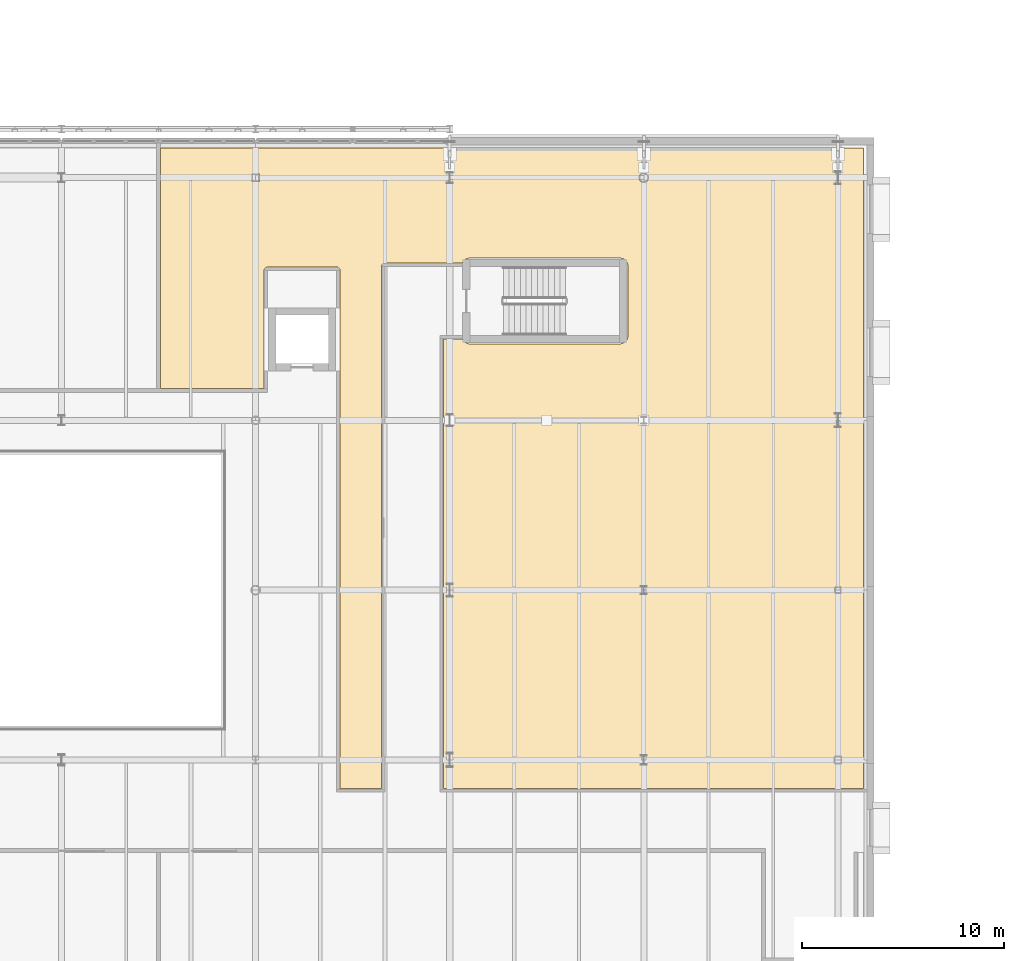
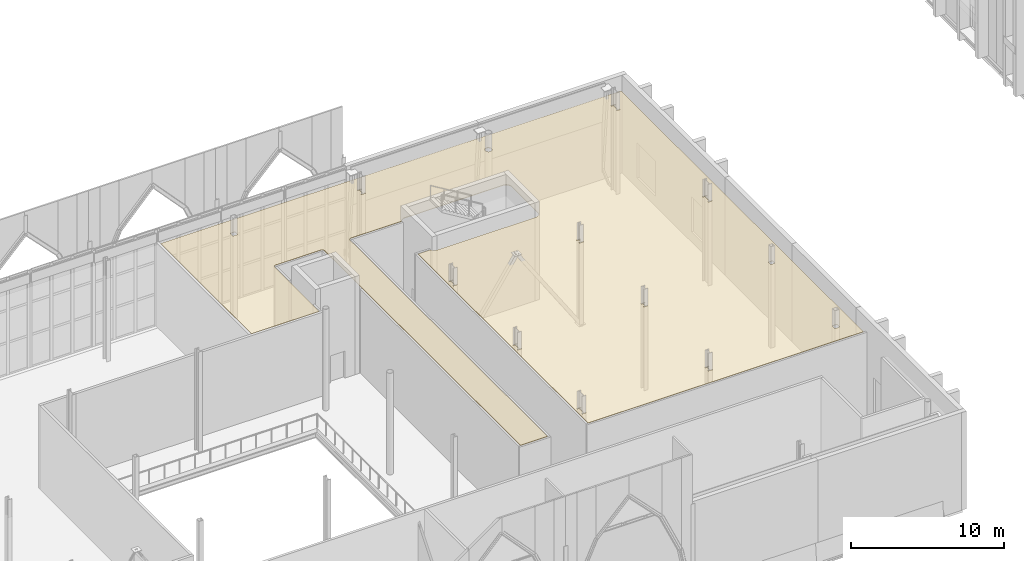
# One storey, part 72 of 79: 1 covering.
"""IFC4 building model written with IfcOpenShell, lengths in metres."""

from ifc_helpers import new_model, si_unit, direction, frame, origin, place, context, subcontext, project, spatial, polyline, outline, extrude, material, layer, layer_set, type_object, element, save


model = new_model("IFC4")

# Units and contexts
model_context = context("Model", 3, precision=1e-05, world=origin(), true_north=direction((0.0, 1.0)))
body_context = subcontext(model_context, "Body", "Model", "MODEL_VIEW")
ifc_project = project(units=[si_unit("LENGTHUNIT", "METRE"), si_unit("AREAUNIT", "SQUARE_METRE"), si_unit("VOLUMEUNIT", "CUBIC_METRE"), si_unit("PLANEANGLEUNIT", "RADIAN"), si_unit("MASSUNIT", "GRAM", prefix="KILO")], contexts=[model_context])

# Site, building, storey
site_placement = place(None, origin())
site = spatial("IfcSite", under=ifc_project, at=site_placement, CompositionType="ELEMENT")
building_placement = place(site_placement, origin())
building = spatial("IfcBuilding", under=site, at=building_placement, Name="Zereglee Splitstone Museum", CompositionType="ELEMENT")
storey_placement = place(building_placement, frame((0.0, 0.0, 9.0)))
storey = spatial("IfcBuildingStorey", under=building, at=storey_placement, Name="L02", CompositionType="ELEMENT", Elevation=9.0)

# Covering
ifc_material = material(Name="Perforated acoustic gypsum board ceiling", Category="masonry")
ifc_layer = layer(ifc_material, 0.044921875)
ifc_layer_set = layer_set([ifc_layer], Name="Perforated acoustic gypsum board ceiling")
covering_type = type_object("IfcCoveringType", Name="CLG-02", PredefinedType="CEILING", material=ifc_layer_set)
covering_placement = place(storey_placement, frame((0.0, 0.0, 6.655029296875)))
element("IfcCovering", 1, at=covering_placement, inside=storey, type_object=covering_type, Name="Acoustic Ceiling L02-040", PredefinedType="CEILING", context=body_context, shape_type="SweptSolid", body=[
    extrude(outline(polyline([(122.799072265625, 46.179931640625), (122.783203125, 46.17919921875), (122.781494140625, 46.178955078125), (122.765869140625, 46.1767578125), (122.763916015625, 46.17626953125), (122.748779296875, 46.172607421875), (122.746826171875, 46.171875), (122.73193359375, 46.166748046875), (122.730224609375, 46.166015625), (122.716064453125, 46.1591796875), (122.71435546875, 46.158203125), (122.70068359375, 46.150146484375), (122.69921875, 46.149169921875), (122.6865234375, 46.1396484375), (122.68505859375, 46.138427734375), (122.67333984375, 46.1279296875), (122.672119140625, 46.126708984375), (122.66162109375, 46.114990234375), (122.660400390625, 46.11328125), (122.65087890625, 46.100830078125), (122.64990234375, 46.09912109375), (122.6416015625, 46.085693359375), (122.640869140625, 46.083984375), (122.634033203125, 46.06982421875), (122.63330078125, 46.068115234375), (122.628173828125, 46.05322265625), (122.62744140625, 46.05126953125), (122.623779296875, 46.0361328125), (122.623291015625, 46.0341796875), (122.62109375, 46.0185546875), (122.620849609375, 46.0166015625), (122.6201171875, 46.0009765625), (122.6201171875, 46.0), (122.6201171875, 20.179931640625), (120.580078125, 20.179931640625), (120.580078125, 45.800048828125), (120.580078125, 45.801025390625), (120.5791015625, 45.816650390625), (120.5791015625, 45.818603515625), (120.57666015625, 45.833984375), (120.576416015625, 45.836181640625), (120.572509765625, 45.851318359375), (120.572021484375, 45.853271484375), (120.566650390625, 45.867919921875), (120.56591796875, 45.869873046875), (120.55908203125, 45.884033203125), (120.558349609375, 45.8857421875), (120.55029296875, 45.899169921875), (120.549072265625, 45.90087890625), (120.539794921875, 45.913330078125), (120.53857421875, 45.914794921875), (120.528076171875, 45.926513671875), (120.526611328125, 45.927978515625), (120.514892578125, 45.9384765625), (120.513427734375, 45.939697265625), (120.500732421875, 45.94921875), (120.499267578125, 45.9501953125), (120.485595703125, 45.958251953125), (120.48388671875, 45.959228515625), (120.4697265625, 45.9658203125), (120.468017578125, 45.966796875), (120.453125, 45.971923828125), (120.451416015625, 45.972412109375), (120.43603515625, 45.976318359375), (120.43408203125, 45.976806640625), (120.418701171875, 45.97900390625), (120.416748046875, 45.979248046875), (120.40087890625, 45.97998046875), (120.39990234375, 45.97998046875), (117.0, 45.97998046875), (116.9990234375, 45.97998046875), (116.9833984375, 45.979248046875), (116.9814453125, 45.97900390625), (116.9658203125, 45.976806640625), (116.9638671875, 45.976318359375), (116.94873046875, 45.972412109375), (116.94677734375, 45.971923828125), (116.931884765625, 45.966796875), (116.93017578125, 45.9658203125), (116.916015625, 45.959228515625), (116.914306640625, 45.958251953125), (116.90087890625, 45.9501953125), (116.899169921875, 45.94921875), (116.88671875, 45.939697265625), (116.885009765625, 45.9384765625), (116.873291015625, 45.927978515625), (116.8720703125, 45.926513671875), (116.861572265625, 45.914794921875), (116.8603515625, 45.913330078125), (116.850830078125, 45.90087890625), (116.849853515625, 45.899169921875), (116.841796875, 45.8857421875), (116.8408203125, 45.884033203125), (116.833984375, 45.869873046875), (116.833251953125, 45.867919921875), (116.828125, 45.853271484375), (116.827392578125, 45.851318359375), (116.82373046875, 45.836181640625), (116.8232421875, 45.833984375), (116.821044921875, 45.818603515625), (116.82080078125, 45.816650390625), (116.820068359375, 45.801025390625), (116.820068359375, 45.800048828125), (116.820068359375, 39.97998046875), (111.699951171875, 39.97998046875), (111.699951171875, 51.860107421875), (146.4599609375, 51.860107421875), (146.4599609375, 20.179931640625), (125.679931640625, 20.179931640625), (125.679931640625, 42.419921875), (126.62109375, 42.419921875), (126.629638671875, 42.402099609375), (126.65087890625, 42.36669921875), (126.67529296875, 42.33349609375), (126.702880859375, 42.302978515625), (126.733642578125, 42.275390625), (126.7666015625, 42.250732421875), (126.802001953125, 42.2294921875), (126.83935546875, 42.2119140625), (126.878173828125, 42.197998046875), (126.918212890625, 42.18798828125), (126.958740234375, 42.181884765625), (127.0, 42.179931640625), (134.39990234375, 42.179931640625), (134.441162109375, 42.181884765625), (134.48193359375, 42.18798828125), (134.52197265625, 42.197998046875), (134.560791015625, 42.2119140625), (134.597900390625, 42.2294921875), (134.63330078125, 42.250732421875), (134.66650390625, 42.275390625), (134.697021484375, 42.302978515625), (134.724609375, 42.33349609375), (134.749267578125, 42.36669921875), (134.7705078125, 42.402099609375), (134.7880859375, 42.439208984375), (134.802001953125, 42.47802734375), (134.81201171875, 42.51806640625), (134.818115234375, 42.558837890625), (134.820068359375, 42.60009765625), (134.820068359375, 46.0), (134.818115234375, 46.041259765625), (134.81201171875, 46.081787109375), (134.802001953125, 46.121826171875), (134.7880859375, 46.16064453125), (134.7705078125, 46.197998046875), (134.749267578125, 46.2333984375), (134.724609375, 46.266357421875), (134.697021484375, 46.297119140625), (134.66650390625, 46.32470703125), (134.63330078125, 46.34912109375), (134.597900390625, 46.370361328125), (134.560791015625, 46.387939453125), (134.52197265625, 46.40185546875), (134.48193359375, 46.411865234375), (134.441162109375, 46.41796875), (134.39990234375, 46.419921875), (127.0, 46.419921875), (126.958740234375, 46.41796875), (126.918212890625, 46.411865234375), (126.878173828125, 46.40185546875), (126.83935546875, 46.387939453125), (126.802001953125, 46.370361328125), (126.7666015625, 46.34912109375), (126.733642578125, 46.32470703125), (126.702880859375, 46.297119140625), (126.67529296875, 46.266357421875), (126.65087890625, 46.2333984375), (126.629638671875, 46.197998046875), (126.62109375, 46.179931640625), (122.800048828125, 46.179931640625), (122.799072265625, 46.179931640625)]), holes=[polyline([(126.157958984375, 21.9580078125), (125.842041015625, 21.9580078125), (125.842041015625, 21.909912109375), (125.9833984375, 21.909912109375), (125.9833984375, 21.2900390625), (125.842041015625, 21.2900390625), (125.842041015625, 21.241943359375), (126.157958984375, 21.241943359375), (126.157958984375, 21.2900390625), (126.0166015625, 21.2900390625), (126.0166015625, 21.909912109375), (126.157958984375, 21.909912109375), (126.157958984375, 21.9580078125)]), polyline([(145.01708984375, 21.782958984375), (145.01708984375, 21.4169921875), (145.383056640625, 21.4169921875), (145.383056640625, 21.782958984375), (145.01708984375, 21.782958984375)]), polyline([(135.758056640625, 21.8330078125), (135.44189453125, 21.8330078125), (135.44189453125, 21.791015625), (135.5849609375, 21.791015625), (135.5849609375, 21.408935546875), (135.44189453125, 21.408935546875), (135.44189453125, 21.366943359375), (135.758056640625, 21.366943359375), (135.758056640625, 21.408935546875), (135.614990234375, 21.408935546875), (135.614990234375, 21.791015625), (135.758056640625, 21.791015625), (135.758056640625, 21.8330078125)]), polyline([(145.35791015625, 30.157958984375), (145.0419921875, 30.157958984375), (145.0419921875, 29.842041015625), (145.35791015625, 29.842041015625), (145.35791015625, 30.157958984375)]), polyline([(126.157958984375, 30.285888671875), (126.157958984375, 30.3330078125), (125.842041015625, 30.3330078125), (125.842041015625, 30.285888671875), (125.98388671875, 30.285888671875), (125.98388671875, 29.714111328125), (125.842041015625, 29.714111328125), (125.842041015625, 29.6669921875), (126.157958984375, 29.6669921875), (126.157958984375, 29.714111328125), (126.01611328125, 29.714111328125), (126.01611328125, 30.285888671875), (126.157958984375, 30.285888671875)]), polyline([(135.758056640625, 30.2080078125), (135.44189453125, 30.2080078125), (135.44189453125, 30.16796875), (135.585205078125, 30.16796875), (135.585205078125, 29.83203125), (135.44189453125, 29.83203125), (135.44189453125, 29.7919921875), (135.758056640625, 29.7919921875), (135.758056640625, 29.83203125), (135.61474609375, 29.83203125), (135.61474609375, 30.16796875), (135.758056640625, 30.16796875), (135.758056640625, 30.2080078125)]), polyline([(145.35791015625, 38.758056640625), (145.0419921875, 38.758056640625), (145.0419921875, 38.7099609375), (145.18359375, 38.7099609375), (145.18359375, 38.090087890625), (145.0419921875, 38.090087890625), (145.0419921875, 38.0419921875), (145.35791015625, 38.0419921875), (145.35791015625, 38.090087890625), (145.216552734375, 38.090087890625), (145.216552734375, 38.7099609375), (145.35791015625, 38.7099609375), (145.35791015625, 38.758056640625)]), polyline([(135.758056640625, 38.587890625), (135.44189453125, 38.587890625), (135.44189453125, 38.549560546875), (135.585693359375, 38.549560546875), (135.585693359375, 38.25048828125), (135.44189453125, 38.25048828125), (135.44189453125, 38.2119140625), (135.758056640625, 38.2119140625), (135.758056640625, 38.25048828125), (135.6142578125, 38.25048828125), (135.6142578125, 38.549560546875), (135.758056640625, 38.549560546875), (135.758056640625, 38.587890625)]), polyline([(126.157958984375, 38.7080078125), (125.842041015625, 38.7080078125), (125.842041015625, 38.662109375), (125.984375, 38.662109375), (125.984375, 38.137939453125), (125.842041015625, 38.137939453125), (125.842041015625, 38.092041015625), (126.157958984375, 38.092041015625), (126.157958984375, 38.137939453125), (126.015625, 38.137939453125), (126.015625, 38.662109375), (126.157958984375, 38.662109375), (126.157958984375, 38.7080078125)]), polyline([(135.6904296875, 50.181396484375), (135.7314453125, 50.203369140625), (135.76708984375, 50.23291015625), (135.796630859375, 50.2685546875), (135.818603515625, 50.3095703125), (135.83203125, 50.35400390625), (135.83642578125, 50.39990234375), (135.83203125, 50.446044921875), (135.818603515625, 50.490478515625), (135.796630859375, 50.531494140625), (135.76708984375, 50.567138671875), (135.7314453125, 50.5966796875), (135.6904296875, 50.618408203125), (135.64599609375, 50.632080078125), (135.60009765625, 50.636474609375), (135.553955078125, 50.632080078125), (135.509521484375, 50.618408203125), (135.468505859375, 50.5966796875), (135.432861328125, 50.567138671875), (135.4033203125, 50.531494140625), (135.381591796875, 50.490478515625), (135.367919921875, 50.446044921875), (135.363525390625, 50.39990234375), (135.367919921875, 50.35400390625), (135.381591796875, 50.3095703125), (135.4033203125, 50.2685546875), (135.432861328125, 50.23291015625), (135.468505859375, 50.203369140625), (135.509521484375, 50.181396484375), (135.553955078125, 50.16796875), (135.60009765625, 50.16357421875), (135.64599609375, 50.16796875), (135.6904296875, 50.181396484375)]), polyline([(126.157958984375, 50.68310546875), (125.842041015625, 50.68310546875), (125.842041015625, 50.637939453125), (125.984619140625, 50.637939453125), (125.984619140625, 50.162109375), (125.842041015625, 50.162109375), (125.842041015625, 50.116943359375), (126.157958984375, 50.116943359375), (126.157958984375, 50.162109375), (126.015380859375, 50.162109375), (126.015380859375, 50.637939453125), (126.157958984375, 50.637939453125), (126.157958984375, 50.68310546875)]), polyline([(145.35791015625, 50.73291015625), (145.0419921875, 50.73291015625), (145.0419921875, 50.68603515625), (145.18408203125, 50.68603515625), (145.18408203125, 50.114013671875), (145.0419921875, 50.114013671875), (145.0419921875, 50.06689453125), (145.35791015625, 50.06689453125), (145.35791015625, 50.114013671875), (145.216064453125, 50.114013671875), (145.216064453125, 50.68603515625), (145.35791015625, 50.68603515625), (145.35791015625, 50.73291015625)]), polyline([(116.5830078125, 50.5830078125), (116.217041015625, 50.5830078125), (116.217041015625, 50.217041015625), (116.5830078125, 50.217041015625), (116.5830078125, 50.5830078125)])]), origin(), (0.0, 0.0, 1.0), 0.044921875),
])

save(model, "model.ifc")
